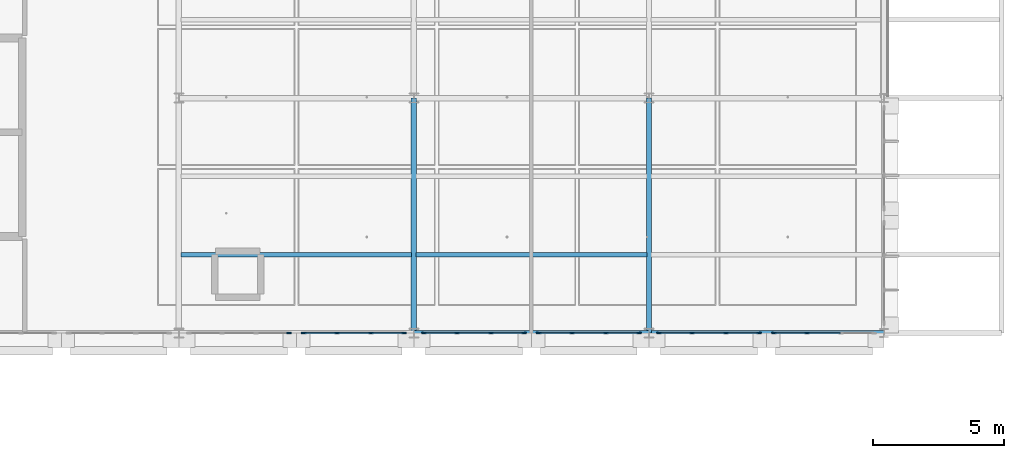
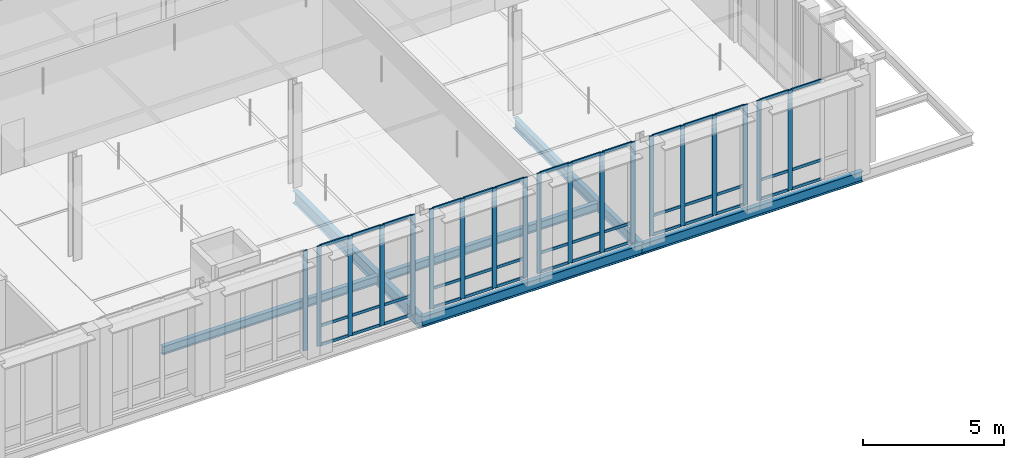
# One storey, part 67 of 140: 61 members, 6 beams, 6 elements without a shape of their own.
"""IFC4 building model written with IfcOpenShell, lengths in metres."""

from ifc_helpers import new_model, si_unit, direction, frame, origin, origin_2d, place, context, subcontext, project, spatial, rectangle, i_section, extrude, material, material_profile, profile_set, type_object, element, aggregate, save


model = new_model("IFC4")

# Units and contexts
model_context = context("Model", 3, precision=1e-05, world=origin(), true_north=direction((0.0, 1.0)))
body_context = subcontext(model_context, "Body", "Model", "MODEL_VIEW")
ifc_project = project(units=[si_unit("LENGTHUNIT", "METRE"), si_unit("AREAUNIT", "SQUARE_METRE"), si_unit("VOLUMEUNIT", "CUBIC_METRE"), si_unit("PLANEANGLEUNIT", "RADIAN"), si_unit("MASSUNIT", "GRAM", prefix="KILO"), si_unit("THERMODYNAMICTEMPERATUREUNIT", "KELVIN"), si_unit("POWERUNIT", "WATT")], contexts=[model_context])

# Site, building, storey
site_placement = place(None, origin())
site = spatial("IfcSite", under=ifc_project, at=site_placement, CompositionType="ELEMENT")
building_placement = place(site_placement, origin())
building = spatial("IfcBuilding", under=site, at=building_placement, Name="Tallowbark Science Centre", CompositionType="ELEMENT")
storey_placement = place(building_placement, frame((0.0, 0.0, 9.89990234375)))
storey = spatial("IfcBuildingStorey", under=building, at=storey_placement, Name="L02", CompositionType="ELEMENT", Elevation=9.89990234375)

# Beam
ifc_material_1 = material(Name="Structural Steel Grade 300PLUS (300 MPa)", Category="steel")
ifc_material_profile_1 = material_profile(ifc_material_1, i_section(OverallWidth=0.208740234375, OverallDepth=0.5283203125, WebThickness=0.009521484375, FlangeThickness=0.01318359375, FilletRadius=0.013916015625, at=origin_2d()), Name="530UB82.0")
ifc_profile_set_1 = profile_set([ifc_material_profile_1], Name="Structural Steel Grade 300PLUS (300 MPa)")
beam_type_1 = type_object("IfcBeamType", Name="BM-UB530B", PredefinedType="BEAM", material=ifc_profile_set_1)
beam_placement = place(storey_placement, frame((139.5, 72.0, -0.444091796875), z_axis=(0.0, 1.0, 0.0), x_axis=(-1.0, 0.0, 0.0)))
element("IfcBeam", 1, at=beam_placement, inside=storey, type_object=beam_type_1, Name="Primary Girder GRDY-L02-1395-720-810", PredefinedType="BEAM", context=body_context, shape_type="SweptSolid", body=[
    extrude(i_section(OverallWidth=0.208740234375, OverallDepth=0.5283203125, WebThickness=0.009521484375, FlangeThickness=0.01318359375, FilletRadius=0.013916015625, at=origin_2d()), origin(), (0.0, 0.0, 1.0), 9.0),
])

# Curtain wall, member
ifc_material_2 = material(Name="Unitised Thermally Broken Aluminium and Low-E Double Glazing", Category="aluminium")
curtain_wall_type = type_object("IfcCurtainWallType", Name="CW-SYS-FACADE", PredefinedType="NOTDEFINED", material=ifc_material_2)
curtain_wall_1_placement = place(storey_placement, origin())
curtain_wall_1 = element("IfcCurtainWall", 2, at=curtain_wall_1_placement, inside=storey, type_object=curtain_wall_type, Name="Unitised Curtain Wall OBS-S-130A CW-L02-146", PredefinedType="NOTDEFINED")
ifc_material_3 = material(Name="Anodised Architectural Aluminium Alloy 6063-T6", Category="aluminium")
ifc_material_profile_2 = material_profile(ifc_material_3, rectangle(XDim=0.06494140625, YDim=0.179931640625, at=origin_2d()), Name="ALU65x180")
ifc_profile_set_2 = profile_set([ifc_material_profile_2], Name="Anodised Architectural Aluminium Alloy 6063-T6")
member_type_1 = type_object("IfcMemberType", Name="CWM-MUL-220", PredefinedType="MULLION", material=ifc_profile_set_2)
member_1_placement = place(storey_placement, frame((134.717529296875, 72.0, 0.0), z_axis=(0.0, 0.0, 1.0), x_axis=(0.0, 1.0, 0.0)))
member_1 = element("IfcMember", 3, at=member_1_placement, type_object=member_type_1, Name="CW-01 mullion 4", PredefinedType="MULLION", context=body_context, shape_type="SweptSolid", body=[
    extrude(rectangle(XDim=0.06494140625, YDim=0.179931640625, at=origin_2d()), origin(), (0.0, 0.0, 1.0), 4.320068359375),
])
aggregate(curtain_wall_1, [member_1])

# Curtain wall, members
curtain_wall_2_placement = place(storey_placement, origin())
curtain_wall_2 = element("IfcCurtainWall", 4, at=curtain_wall_2_placement, inside=storey, type_object=curtain_wall_type, Name="Unitised Curtain Wall OBS-S-130B CW-L02-147", PredefinedType="NOTDEFINED")
member_2_placement = place(storey_placement, frame((135.282470703125, 72.0, 0.0), z_axis=(0.0, 0.0, 1.0), x_axis=(0.0, 1.0, 0.0)))
member_2 = element("IfcMember", 5, at=member_2_placement, type_object=member_type_1, Name="CW-01 mullion 1", PredefinedType="MULLION", context=body_context, shape_type="SweptSolid", body=[
    extrude(rectangle(XDim=0.06494140625, YDim=0.179931640625, at=origin_2d()), origin(), (0.0, 0.0, 1.0), 4.320068359375),
])
member_3_placement = place(storey_placement, frame((136.550048828125, 72.0, 0.0), z_axis=(0.0, 0.0, 1.0), x_axis=(0.0, 1.0, 0.0)))
member_3 = element("IfcMember", 6, at=member_3_placement, type_object=member_type_1, Name="CW-01 mullion 2", PredefinedType="MULLION", context=body_context, shape_type="SweptSolid", body=[
    extrude(rectangle(XDim=0.06494140625, YDim=0.179931640625, at=origin_2d()), origin(), (0.0, 0.0, 1.0), 4.320068359375),
])
member_4_placement = place(storey_placement, frame((137.85009765625, 72.0, 0.0), z_axis=(0.0, 0.0, 1.0), x_axis=(0.0, 1.0, 0.0)))
member_4 = element("IfcMember", 7, at=member_4_placement, type_object=member_type_1, Name="CW-01 mullion 3", PredefinedType="MULLION", context=body_context, shape_type="SweptSolid", body=[
    extrude(rectangle(XDim=0.06494140625, YDim=0.179931640625, at=origin_2d()), origin(), (0.0, 0.0, 1.0), 4.320068359375),
])
member_5_placement = place(storey_placement, frame((139.117431640625, 72.0, 0.0), z_axis=(0.0, 0.0, 1.0), x_axis=(0.0, 1.0, 0.0)))
member_5 = element("IfcMember", 8, at=member_5_placement, type_object=member_type_1, Name="CW-01 mullion 4", PredefinedType="MULLION", context=body_context, shape_type="SweptSolid", body=[
    extrude(rectangle(XDim=0.06494140625, YDim=0.179931640625, at=origin_2d()), origin(), (0.0, 0.0, 1.0), 4.320068359375),
])

curtain_wall_3_placement = place(storey_placement, origin())
curtain_wall_3 = element("IfcCurtainWall", 9, at=curtain_wall_3_placement, inside=storey, type_object=curtain_wall_type, Name="Unitised Curtain Wall OBS-S-139A CW-L02-150", PredefinedType="NOTDEFINED")
member_6_placement = place(storey_placement, frame((139.882568359375, 72.0, 0.0), z_axis=(0.0, 0.0, 1.0), x_axis=(0.0, 1.0, 0.0)))
member_6 = element("IfcMember", 10, at=member_6_placement, type_object=member_type_1, Name="CW-01 mullion 1", PredefinedType="MULLION", context=body_context, shape_type="SweptSolid", body=[
    extrude(rectangle(XDim=0.06494140625, YDim=0.179931640625, at=origin_2d()), origin(), (0.0, 0.0, 1.0), 4.320068359375),
])
member_7_placement = place(storey_placement, frame((141.14990234375, 72.0, 0.0), z_axis=(0.0, 0.0, 1.0), x_axis=(0.0, 1.0, 0.0)))
member_7 = element("IfcMember", 11, at=member_7_placement, type_object=member_type_1, Name="CW-01 mullion 2", PredefinedType="MULLION", context=body_context, shape_type="SweptSolid", body=[
    extrude(rectangle(XDim=0.06494140625, YDim=0.179931640625, at=origin_2d()), origin(), (0.0, 0.0, 1.0), 4.320068359375),
])
member_8_placement = place(storey_placement, frame((142.449951171875, 72.0, 0.0), z_axis=(0.0, 0.0, 1.0), x_axis=(0.0, 1.0, 0.0)))
member_8 = element("IfcMember", 12, at=member_8_placement, type_object=member_type_1, Name="CW-01 mullion 3", PredefinedType="MULLION", context=body_context, shape_type="SweptSolid", body=[
    extrude(rectangle(XDim=0.06494140625, YDim=0.179931640625, at=origin_2d()), origin(), (0.0, 0.0, 1.0), 4.320068359375),
])
member_9_placement = place(storey_placement, frame((143.717529296875, 72.0, 0.0), z_axis=(0.0, 0.0, 1.0), x_axis=(0.0, 1.0, 0.0)))
member_9 = element("IfcMember", 13, at=member_9_placement, type_object=member_type_1, Name="CW-01 mullion 4", PredefinedType="MULLION", context=body_context, shape_type="SweptSolid", body=[
    extrude(rectangle(XDim=0.06494140625, YDim=0.179931640625, at=origin_2d()), origin(), (0.0, 0.0, 1.0), 4.320068359375),
])

curtain_wall_4_placement = place(storey_placement, origin())
curtain_wall_4 = element("IfcCurtainWall", 14, at=curtain_wall_4_placement, inside=storey, type_object=curtain_wall_type, Name="Unitised Curtain Wall OBS-S-139B CW-L02-151", PredefinedType="NOTDEFINED")
member_10_placement = place(storey_placement, frame((144.282470703125, 72.0, 0.0), z_axis=(0.0, 0.0, 1.0), x_axis=(0.0, 1.0, 0.0)))
member_10 = element("IfcMember", 15, at=member_10_placement, type_object=member_type_1, Name="CW-01 mullion 1", PredefinedType="MULLION", context=body_context, shape_type="SweptSolid", body=[
    extrude(rectangle(XDim=0.06494140625, YDim=0.179931640625, at=origin_2d()), origin(), (0.0, 0.0, 1.0), 4.320068359375),
])
member_11_placement = place(storey_placement, frame((145.550048828125, 72.0, 0.0), z_axis=(0.0, 0.0, 1.0), x_axis=(0.0, 1.0, 0.0)))
member_11 = element("IfcMember", 16, at=member_11_placement, type_object=member_type_1, Name="CW-01 mullion 2", PredefinedType="MULLION", context=body_context, shape_type="SweptSolid", body=[
    extrude(rectangle(XDim=0.06494140625, YDim=0.179931640625, at=origin_2d()), origin(), (0.0, 0.0, 1.0), 4.320068359375),
])
member_12_placement = place(storey_placement, frame((146.85009765625, 72.0, 0.0), z_axis=(0.0, 0.0, 1.0), x_axis=(0.0, 1.0, 0.0)))
member_12 = element("IfcMember", 17, at=member_12_placement, type_object=member_type_1, Name="CW-01 mullion 3", PredefinedType="MULLION", context=body_context, shape_type="SweptSolid", body=[
    extrude(rectangle(XDim=0.06494140625, YDim=0.179931640625, at=origin_2d()), origin(), (0.0, 0.0, 1.0), 4.320068359375),
])
member_13_placement = place(storey_placement, frame((148.117431640625, 72.0, 0.0), z_axis=(0.0, 0.0, 1.0), x_axis=(0.0, 1.0, 0.0)))
member_13 = element("IfcMember", 18, at=member_13_placement, type_object=member_type_1, Name="CW-01 mullion 4", PredefinedType="MULLION", context=body_context, shape_type="SweptSolid", body=[
    extrude(rectangle(XDim=0.06494140625, YDim=0.179931640625, at=origin_2d()), origin(), (0.0, 0.0, 1.0), 4.320068359375),
])

curtain_wall_5_placement = place(storey_placement, origin())
curtain_wall_5 = element("IfcCurtainWall", 19, at=curtain_wall_5_placement, inside=storey, type_object=curtain_wall_type, Name="Unitised Curtain Wall OBS-S-148A CW-L02-154", PredefinedType="NOTDEFINED")
member_14_placement = place(storey_placement, frame((148.882568359375, 72.0, 0.0), z_axis=(0.0, 0.0, 1.0), x_axis=(0.0, 1.0, 0.0)))
member_14 = element("IfcMember", 20, at=member_14_placement, type_object=member_type_1, Name="CW-01 mullion 1", PredefinedType="MULLION", context=body_context, shape_type="SweptSolid", body=[
    extrude(rectangle(XDim=0.06494140625, YDim=0.179931640625, at=origin_2d()), origin(), (0.0, 0.0, 1.0), 4.320068359375),
])
member_15_placement = place(storey_placement, frame((150.14990234375, 72.0, 0.0), z_axis=(0.0, 0.0, 1.0), x_axis=(0.0, 1.0, 0.0)))
member_15 = element("IfcMember", 21, at=member_15_placement, type_object=member_type_1, Name="CW-01 mullion 2", PredefinedType="MULLION", context=body_context, shape_type="SweptSolid", body=[
    extrude(rectangle(XDim=0.06494140625, YDim=0.179931640625, at=origin_2d()), origin(), (0.0, 0.0, 1.0), 4.320068359375),
])
member_16_placement = place(storey_placement, frame((151.449951171875, 72.0, 0.0), z_axis=(0.0, 0.0, 1.0), x_axis=(0.0, 1.0, 0.0)))
member_16 = element("IfcMember", 22, at=member_16_placement, type_object=member_type_1, Name="CW-01 mullion 3", PredefinedType="MULLION", context=body_context, shape_type="SweptSolid", body=[
    extrude(rectangle(XDim=0.06494140625, YDim=0.179931640625, at=origin_2d()), origin(), (0.0, 0.0, 1.0), 4.320068359375),
])
member_17_placement = place(storey_placement, frame((152.717529296875, 72.0, 0.0), z_axis=(0.0, 0.0, 1.0), x_axis=(0.0, 1.0, 0.0)))
member_17 = element("IfcMember", 23, at=member_17_placement, type_object=member_type_1, Name="CW-01 mullion 4", PredefinedType="MULLION", context=body_context, shape_type="SweptSolid", body=[
    extrude(rectangle(XDim=0.06494140625, YDim=0.179931640625, at=origin_2d()), origin(), (0.0, 0.0, 1.0), 4.320068359375),
])

curtain_wall_6_placement = place(storey_placement, origin())
curtain_wall_6 = element("IfcCurtainWall", 24, at=curtain_wall_6_placement, inside=storey, type_object=curtain_wall_type, Name="Unitised Curtain Wall OBS-S-148B CW-L02-155", PredefinedType="NOTDEFINED")
member_18_placement = place(storey_placement, frame((153.282470703125, 72.0, 0.0), z_axis=(0.0, 0.0, 1.0), x_axis=(0.0, 1.0, 0.0)))
member_18 = element("IfcMember", 25, at=member_18_placement, type_object=member_type_1, Name="CW-01 mullion 1", PredefinedType="MULLION", context=body_context, shape_type="SweptSolid", body=[
    extrude(rectangle(XDim=0.06494140625, YDim=0.179931640625, at=origin_2d()), origin(), (0.0, 0.0, 1.0), 4.320068359375),
])
member_19_placement = place(storey_placement, frame((154.550048828125, 72.0, 0.0), z_axis=(0.0, 0.0, 1.0), x_axis=(0.0, 1.0, 0.0)))
member_19 = element("IfcMember", 26, at=member_19_placement, type_object=member_type_1, Name="CW-01 mullion 2", PredefinedType="MULLION", context=body_context, shape_type="SweptSolid", body=[
    extrude(rectangle(XDim=0.06494140625, YDim=0.179931640625, at=origin_2d()), origin(), (0.0, 0.0, 1.0), 4.320068359375),
])

# Member
ifc_material_profile_3 = material_profile(ifc_material_3, rectangle(XDim=0.054931640625, YDim=0.1201171875, at=origin_2d()), Name="ALU55x120")
ifc_profile_set_3 = profile_set([ifc_material_profile_3], Name="Anodised Architectural Aluminium Alloy 6063-T6")
member_type_2 = type_object("IfcMemberType", Name="CWM-TRN-150", PredefinedType="USERDEFINED", material=ifc_profile_set_3)
member_20_placement = place(storey_placement, frame((135.31494140625, 72.0, 0.027587890625), z_axis=(1.0, 0.0, 0.0), x_axis=(0.0, 1.0, 0.0)))
member_20 = element("IfcMember", 27, at=member_20_placement, type_object=member_type_2, Name="CW-01 transom 1.1", ObjectType="TRANSOM", PredefinedType="USERDEFINED", context=body_context, shape_type="SweptSolid", body=[
    extrude(rectangle(XDim=0.054931640625, YDim=0.1201171875, at=origin_2d()), origin(), (0.0, 0.0, 1.0), 1.20263671875),
])

member_21_placement = place(storey_placement, frame((135.31494140625, 72.0, 0.85009765625), z_axis=(1.0, 0.0, 0.0), x_axis=(0.0, 1.0, 0.0)))
member_21 = element("IfcMember", 28, at=member_21_placement, type_object=member_type_2, Name="CW-01 transom 1.2", ObjectType="TRANSOM", PredefinedType="USERDEFINED", context=body_context, shape_type="SweptSolid", body=[
    extrude(rectangle(XDim=0.054931640625, YDim=0.1201171875, at=origin_2d()), origin(), (0.0, 0.0, 1.0), 1.20263671875),
])

member_22_placement = place(storey_placement, frame((135.31494140625, 72.0, 4.29248046875), z_axis=(1.0, 0.0, 0.0), x_axis=(0.0, 1.0, 0.0)))
member_22 = element("IfcMember", 29, at=member_22_placement, type_object=member_type_2, Name="CW-01 transom 1.3", ObjectType="TRANSOM", PredefinedType="USERDEFINED", context=body_context, shape_type="SweptSolid", body=[
    extrude(rectangle(XDim=0.054931640625, YDim=0.1201171875, at=origin_2d()), origin(), (0.0, 0.0, 1.0), 1.20263671875),
])

member_23_placement = place(storey_placement, frame((136.58251953125, 72.0, 0.027587890625), z_axis=(1.0, 0.0, 0.0), x_axis=(0.0, 1.0, 0.0)))
member_23 = element("IfcMember", 30, at=member_23_placement, type_object=member_type_2, Name="CW-01 transom 2.1", ObjectType="TRANSOM", PredefinedType="USERDEFINED", context=body_context, shape_type="SweptSolid", body=[
    extrude(rectangle(XDim=0.054931640625, YDim=0.1201171875, at=origin_2d()), origin(), (0.0, 0.0, 1.0), 1.23486328125),
])

member_24_placement = place(storey_placement, frame((136.58251953125, 72.0, 0.85009765625), z_axis=(1.0, 0.0, 0.0), x_axis=(0.0, 1.0, 0.0)))
member_24 = element("IfcMember", 31, at=member_24_placement, type_object=member_type_2, Name="CW-01 transom 2.2", ObjectType="TRANSOM", PredefinedType="USERDEFINED", context=body_context, shape_type="SweptSolid", body=[
    extrude(rectangle(XDim=0.054931640625, YDim=0.1201171875, at=origin_2d()), origin(), (0.0, 0.0, 1.0), 1.23486328125),
])

member_25_placement = place(storey_placement, frame((136.58251953125, 72.0, 4.29248046875), z_axis=(1.0, 0.0, 0.0), x_axis=(0.0, 1.0, 0.0)))
member_25 = element("IfcMember", 32, at=member_25_placement, type_object=member_type_2, Name="CW-01 transom 2.3", ObjectType="TRANSOM", PredefinedType="USERDEFINED", context=body_context, shape_type="SweptSolid", body=[
    extrude(rectangle(XDim=0.054931640625, YDim=0.1201171875, at=origin_2d()), origin(), (0.0, 0.0, 1.0), 1.23486328125),
])

member_26_placement = place(storey_placement, frame((137.882568359375, 72.0, 0.027587890625), z_axis=(1.0, 0.0, 0.0), x_axis=(0.0, 1.0, 0.0)))
member_26 = element("IfcMember", 33, at=member_26_placement, type_object=member_type_2, Name="CW-01 transom 3.1", ObjectType="TRANSOM", PredefinedType="USERDEFINED", context=body_context, shape_type="SweptSolid", body=[
    extrude(rectangle(XDim=0.054931640625, YDim=0.1201171875, at=origin_2d()), origin(), (0.0, 0.0, 1.0), 1.202392578125),
])

member_27_placement = place(storey_placement, frame((137.882568359375, 72.0, 0.85009765625), z_axis=(1.0, 0.0, 0.0), x_axis=(0.0, 1.0, 0.0)))
member_27 = element("IfcMember", 34, at=member_27_placement, type_object=member_type_2, Name="CW-01 transom 3.2", ObjectType="TRANSOM", PredefinedType="USERDEFINED", context=body_context, shape_type="SweptSolid", body=[
    extrude(rectangle(XDim=0.054931640625, YDim=0.1201171875, at=origin_2d()), origin(), (0.0, 0.0, 1.0), 1.202392578125),
])

member_28_placement = place(storey_placement, frame((137.882568359375, 72.0, 4.29248046875), z_axis=(1.0, 0.0, 0.0), x_axis=(0.0, 1.0, 0.0)))
member_28 = element("IfcMember", 35, at=member_28_placement, type_object=member_type_2, Name="CW-01 transom 3.3", ObjectType="TRANSOM", PredefinedType="USERDEFINED", context=body_context, shape_type="SweptSolid", body=[
    extrude(rectangle(XDim=0.054931640625, YDim=0.1201171875, at=origin_2d()), origin(), (0.0, 0.0, 1.0), 1.202392578125),
])

aggregate(curtain_wall_2, [member_2, member_3, member_4, member_5, member_20, member_21, member_22, member_23, member_24, member_25, member_26, member_27, member_28])

member_29_placement = place(storey_placement, frame((139.9150390625, 72.0, 0.027587890625), z_axis=(1.0, 0.0, 0.0), x_axis=(0.0, 1.0, 0.0)))
member_29 = element("IfcMember", 36, at=member_29_placement, type_object=member_type_2, Name="CW-01 transom 1.1", ObjectType="TRANSOM", PredefinedType="USERDEFINED", context=body_context, shape_type="SweptSolid", body=[
    extrude(rectangle(XDim=0.054931640625, YDim=0.1201171875, at=origin_2d()), origin(), (0.0, 0.0, 1.0), 1.202392578125),
])

member_30_placement = place(storey_placement, frame((139.9150390625, 72.0, 0.85009765625), z_axis=(1.0, 0.0, 0.0), x_axis=(0.0, 1.0, 0.0)))
member_30 = element("IfcMember", 37, at=member_30_placement, type_object=member_type_2, Name="CW-01 transom 1.2", ObjectType="TRANSOM", PredefinedType="USERDEFINED", context=body_context, shape_type="SweptSolid", body=[
    extrude(rectangle(XDim=0.054931640625, YDim=0.1201171875, at=origin_2d()), origin(), (0.0, 0.0, 1.0), 1.202392578125),
])

member_31_placement = place(storey_placement, frame((139.9150390625, 72.0, 4.29248046875), z_axis=(1.0, 0.0, 0.0), x_axis=(0.0, 1.0, 0.0)))
member_31 = element("IfcMember", 38, at=member_31_placement, type_object=member_type_2, Name="CW-01 transom 1.3", ObjectType="TRANSOM", PredefinedType="USERDEFINED", context=body_context, shape_type="SweptSolid", body=[
    extrude(rectangle(XDim=0.054931640625, YDim=0.1201171875, at=origin_2d()), origin(), (0.0, 0.0, 1.0), 1.202392578125),
])

member_32_placement = place(storey_placement, frame((141.1826171875, 72.0, 0.027587890625), z_axis=(1.0, 0.0, 0.0), x_axis=(0.0, 1.0, 0.0)))
member_32 = element("IfcMember", 39, at=member_32_placement, type_object=member_type_2, Name="CW-01 transom 2.1", ObjectType="TRANSOM", PredefinedType="USERDEFINED", context=body_context, shape_type="SweptSolid", body=[
    extrude(rectangle(XDim=0.054931640625, YDim=0.1201171875, at=origin_2d()), origin(), (0.0, 0.0, 1.0), 1.23486328125),
])

member_33_placement = place(storey_placement, frame((141.1826171875, 72.0, 0.85009765625), z_axis=(1.0, 0.0, 0.0), x_axis=(0.0, 1.0, 0.0)))
member_33 = element("IfcMember", 40, at=member_33_placement, type_object=member_type_2, Name="CW-01 transom 2.2", ObjectType="TRANSOM", PredefinedType="USERDEFINED", context=body_context, shape_type="SweptSolid", body=[
    extrude(rectangle(XDim=0.054931640625, YDim=0.1201171875, at=origin_2d()), origin(), (0.0, 0.0, 1.0), 1.23486328125),
])

member_34_placement = place(storey_placement, frame((141.1826171875, 72.0, 4.29248046875), z_axis=(1.0, 0.0, 0.0), x_axis=(0.0, 1.0, 0.0)))
member_34 = element("IfcMember", 41, at=member_34_placement, type_object=member_type_2, Name="CW-01 transom 2.3", ObjectType="TRANSOM", PredefinedType="USERDEFINED", context=body_context, shape_type="SweptSolid", body=[
    extrude(rectangle(XDim=0.054931640625, YDim=0.1201171875, at=origin_2d()), origin(), (0.0, 0.0, 1.0), 1.23486328125),
])

member_35_placement = place(storey_placement, frame((142.482421875, 72.0, 0.027587890625), z_axis=(1.0, 0.0, 0.0), x_axis=(0.0, 1.0, 0.0)))
member_35 = element("IfcMember", 42, at=member_35_placement, type_object=member_type_2, Name="CW-01 transom 3.1", ObjectType="TRANSOM", PredefinedType="USERDEFINED", context=body_context, shape_type="SweptSolid", body=[
    extrude(rectangle(XDim=0.054931640625, YDim=0.1201171875, at=origin_2d()), origin(), (0.0, 0.0, 1.0), 1.20263671875),
])

member_36_placement = place(storey_placement, frame((142.482421875, 72.0, 0.85009765625), z_axis=(1.0, 0.0, 0.0), x_axis=(0.0, 1.0, 0.0)))
member_36 = element("IfcMember", 43, at=member_36_placement, type_object=member_type_2, Name="CW-01 transom 3.2", ObjectType="TRANSOM", PredefinedType="USERDEFINED", context=body_context, shape_type="SweptSolid", body=[
    extrude(rectangle(XDim=0.054931640625, YDim=0.1201171875, at=origin_2d()), origin(), (0.0, 0.0, 1.0), 1.20263671875),
])

member_37_placement = place(storey_placement, frame((142.482421875, 72.0, 4.29248046875), z_axis=(1.0, 0.0, 0.0), x_axis=(0.0, 1.0, 0.0)))
member_37 = element("IfcMember", 44, at=member_37_placement, type_object=member_type_2, Name="CW-01 transom 3.3", ObjectType="TRANSOM", PredefinedType="USERDEFINED", context=body_context, shape_type="SweptSolid", body=[
    extrude(rectangle(XDim=0.054931640625, YDim=0.1201171875, at=origin_2d()), origin(), (0.0, 0.0, 1.0), 1.20263671875),
])

aggregate(curtain_wall_3, [member_6, member_7, member_8, member_9, member_29, member_30, member_31, member_32, member_33, member_34, member_35, member_36, member_37])

member_38_placement = place(storey_placement, frame((144.31494140625, 72.0, 0.027587890625), z_axis=(1.0, 0.0, 0.0), x_axis=(0.0, 1.0, 0.0)))
member_38 = element("IfcMember", 45, at=member_38_placement, type_object=member_type_2, Name="CW-01 transom 1.1", ObjectType="TRANSOM", PredefinedType="USERDEFINED", context=body_context, shape_type="SweptSolid", body=[
    extrude(rectangle(XDim=0.054931640625, YDim=0.1201171875, at=origin_2d()), origin(), (0.0, 0.0, 1.0), 1.20263671875),
])

member_39_placement = place(storey_placement, frame((144.31494140625, 72.0, 0.85009765625), z_axis=(1.0, 0.0, 0.0), x_axis=(0.0, 1.0, 0.0)))
member_39 = element("IfcMember", 46, at=member_39_placement, type_object=member_type_2, Name="CW-01 transom 1.2", ObjectType="TRANSOM", PredefinedType="USERDEFINED", context=body_context, shape_type="SweptSolid", body=[
    extrude(rectangle(XDim=0.054931640625, YDim=0.1201171875, at=origin_2d()), origin(), (0.0, 0.0, 1.0), 1.20263671875),
])

member_40_placement = place(storey_placement, frame((144.31494140625, 72.0, 4.29248046875), z_axis=(1.0, 0.0, 0.0), x_axis=(0.0, 1.0, 0.0)))
member_40 = element("IfcMember", 47, at=member_40_placement, type_object=member_type_2, Name="CW-01 transom 1.3", ObjectType="TRANSOM", PredefinedType="USERDEFINED", context=body_context, shape_type="SweptSolid", body=[
    extrude(rectangle(XDim=0.054931640625, YDim=0.1201171875, at=origin_2d()), origin(), (0.0, 0.0, 1.0), 1.20263671875),
])

member_41_placement = place(storey_placement, frame((145.58251953125, 72.0, 0.027587890625), z_axis=(1.0, 0.0, 0.0), x_axis=(0.0, 1.0, 0.0)))
member_41 = element("IfcMember", 48, at=member_41_placement, type_object=member_type_2, Name="CW-01 transom 2.1", ObjectType="TRANSOM", PredefinedType="USERDEFINED", context=body_context, shape_type="SweptSolid", body=[
    extrude(rectangle(XDim=0.054931640625, YDim=0.1201171875, at=origin_2d()), origin(), (0.0, 0.0, 1.0), 1.23486328125),
])

member_42_placement = place(storey_placement, frame((145.58251953125, 72.0, 0.85009765625), z_axis=(1.0, 0.0, 0.0), x_axis=(0.0, 1.0, 0.0)))
member_42 = element("IfcMember", 49, at=member_42_placement, type_object=member_type_2, Name="CW-01 transom 2.2", ObjectType="TRANSOM", PredefinedType="USERDEFINED", context=body_context, shape_type="SweptSolid", body=[
    extrude(rectangle(XDim=0.054931640625, YDim=0.1201171875, at=origin_2d()), origin(), (0.0, 0.0, 1.0), 1.23486328125),
])

member_43_placement = place(storey_placement, frame((145.58251953125, 72.0, 4.29248046875), z_axis=(1.0, 0.0, 0.0), x_axis=(0.0, 1.0, 0.0)))
member_43 = element("IfcMember", 50, at=member_43_placement, type_object=member_type_2, Name="CW-01 transom 2.3", ObjectType="TRANSOM", PredefinedType="USERDEFINED", context=body_context, shape_type="SweptSolid", body=[
    extrude(rectangle(XDim=0.054931640625, YDim=0.1201171875, at=origin_2d()), origin(), (0.0, 0.0, 1.0), 1.23486328125),
])

member_44_placement = place(storey_placement, frame((146.882568359375, 72.0, 0.027587890625), z_axis=(1.0, 0.0, 0.0), x_axis=(0.0, 1.0, 0.0)))
member_44 = element("IfcMember", 51, at=member_44_placement, type_object=member_type_2, Name="CW-01 transom 3.1", ObjectType="TRANSOM", PredefinedType="USERDEFINED", context=body_context, shape_type="SweptSolid", body=[
    extrude(rectangle(XDim=0.054931640625, YDim=0.1201171875, at=origin_2d()), origin(), (0.0, 0.0, 1.0), 1.202392578125),
])

member_45_placement = place(storey_placement, frame((146.882568359375, 72.0, 0.85009765625), z_axis=(1.0, 0.0, 0.0), x_axis=(0.0, 1.0, 0.0)))
member_45 = element("IfcMember", 52, at=member_45_placement, type_object=member_type_2, Name="CW-01 transom 3.2", ObjectType="TRANSOM", PredefinedType="USERDEFINED", context=body_context, shape_type="SweptSolid", body=[
    extrude(rectangle(XDim=0.054931640625, YDim=0.1201171875, at=origin_2d()), origin(), (0.0, 0.0, 1.0), 1.202392578125),
])

member_46_placement = place(storey_placement, frame((146.882568359375, 72.0, 4.29248046875), z_axis=(1.0, 0.0, 0.0), x_axis=(0.0, 1.0, 0.0)))
member_46 = element("IfcMember", 53, at=member_46_placement, type_object=member_type_2, Name="CW-01 transom 3.3", ObjectType="TRANSOM", PredefinedType="USERDEFINED", context=body_context, shape_type="SweptSolid", body=[
    extrude(rectangle(XDim=0.054931640625, YDim=0.1201171875, at=origin_2d()), origin(), (0.0, 0.0, 1.0), 1.202392578125),
])

aggregate(curtain_wall_4, [member_10, member_11, member_12, member_13, member_38, member_39, member_40, member_41, member_42, member_43, member_44, member_45, member_46])

member_47_placement = place(storey_placement, frame((148.9150390625, 72.0, 0.027587890625), z_axis=(1.0, 0.0, 0.0), x_axis=(0.0, 1.0, 0.0)))
member_47 = element("IfcMember", 54, at=member_47_placement, type_object=member_type_2, Name="CW-01 transom 1.1", ObjectType="TRANSOM", PredefinedType="USERDEFINED", context=body_context, shape_type="SweptSolid", body=[
    extrude(rectangle(XDim=0.054931640625, YDim=0.1201171875, at=origin_2d()), origin(), (0.0, 0.0, 1.0), 1.202392578125),
])

member_48_placement = place(storey_placement, frame((148.9150390625, 72.0, 0.85009765625), z_axis=(1.0, 0.0, 0.0), x_axis=(0.0, 1.0, 0.0)))
member_48 = element("IfcMember", 55, at=member_48_placement, type_object=member_type_2, Name="CW-01 transom 1.2", ObjectType="TRANSOM", PredefinedType="USERDEFINED", context=body_context, shape_type="SweptSolid", body=[
    extrude(rectangle(XDim=0.054931640625, YDim=0.1201171875, at=origin_2d()), origin(), (0.0, 0.0, 1.0), 1.202392578125),
])

member_49_placement = place(storey_placement, frame((148.9150390625, 72.0, 4.29248046875), z_axis=(1.0, 0.0, 0.0), x_axis=(0.0, 1.0, 0.0)))
member_49 = element("IfcMember", 56, at=member_49_placement, type_object=member_type_2, Name="CW-01 transom 1.3", ObjectType="TRANSOM", PredefinedType="USERDEFINED", context=body_context, shape_type="SweptSolid", body=[
    extrude(rectangle(XDim=0.054931640625, YDim=0.1201171875, at=origin_2d()), origin(), (0.0, 0.0, 1.0), 1.202392578125),
])

member_50_placement = place(storey_placement, frame((150.1826171875, 72.0, 0.027587890625), z_axis=(1.0, 0.0, 0.0), x_axis=(0.0, 1.0, 0.0)))
member_50 = element("IfcMember", 57, at=member_50_placement, type_object=member_type_2, Name="CW-01 transom 2.1", ObjectType="TRANSOM", PredefinedType="USERDEFINED", context=body_context, shape_type="SweptSolid", body=[
    extrude(rectangle(XDim=0.054931640625, YDim=0.1201171875, at=origin_2d()), origin(), (0.0, 0.0, 1.0), 1.23486328125),
])

member_51_placement = place(storey_placement, frame((150.1826171875, 72.0, 0.85009765625), z_axis=(1.0, 0.0, 0.0), x_axis=(0.0, 1.0, 0.0)))
member_51 = element("IfcMember", 58, at=member_51_placement, type_object=member_type_2, Name="CW-01 transom 2.2", ObjectType="TRANSOM", PredefinedType="USERDEFINED", context=body_context, shape_type="SweptSolid", body=[
    extrude(rectangle(XDim=0.054931640625, YDim=0.1201171875, at=origin_2d()), origin(), (0.0, 0.0, 1.0), 1.23486328125),
])

member_52_placement = place(storey_placement, frame((150.1826171875, 72.0, 4.29248046875), z_axis=(1.0, 0.0, 0.0), x_axis=(0.0, 1.0, 0.0)))
member_52 = element("IfcMember", 59, at=member_52_placement, type_object=member_type_2, Name="CW-01 transom 2.3", ObjectType="TRANSOM", PredefinedType="USERDEFINED", context=body_context, shape_type="SweptSolid", body=[
    extrude(rectangle(XDim=0.054931640625, YDim=0.1201171875, at=origin_2d()), origin(), (0.0, 0.0, 1.0), 1.23486328125),
])

member_53_placement = place(storey_placement, frame((151.482421875, 72.0, 0.027587890625), z_axis=(1.0, 0.0, 0.0), x_axis=(0.0, 1.0, 0.0)))
member_53 = element("IfcMember", 60, at=member_53_placement, type_object=member_type_2, Name="CW-01 transom 3.1", ObjectType="TRANSOM", PredefinedType="USERDEFINED", context=body_context, shape_type="SweptSolid", body=[
    extrude(rectangle(XDim=0.054931640625, YDim=0.1201171875, at=origin_2d()), origin(), (0.0, 0.0, 1.0), 1.20263671875),
])

member_54_placement = place(storey_placement, frame((151.482421875, 72.0, 0.85009765625), z_axis=(1.0, 0.0, 0.0), x_axis=(0.0, 1.0, 0.0)))
member_54 = element("IfcMember", 61, at=member_54_placement, type_object=member_type_2, Name="CW-01 transom 3.2", ObjectType="TRANSOM", PredefinedType="USERDEFINED", context=body_context, shape_type="SweptSolid", body=[
    extrude(rectangle(XDim=0.054931640625, YDim=0.1201171875, at=origin_2d()), origin(), (0.0, 0.0, 1.0), 1.20263671875),
])

member_55_placement = place(storey_placement, frame((151.482421875, 72.0, 4.29248046875), z_axis=(1.0, 0.0, 0.0), x_axis=(0.0, 1.0, 0.0)))
member_55 = element("IfcMember", 62, at=member_55_placement, type_object=member_type_2, Name="CW-01 transom 3.3", ObjectType="TRANSOM", PredefinedType="USERDEFINED", context=body_context, shape_type="SweptSolid", body=[
    extrude(rectangle(XDim=0.054931640625, YDim=0.1201171875, at=origin_2d()), origin(), (0.0, 0.0, 1.0), 1.20263671875),
])

aggregate(curtain_wall_5, [member_14, member_15, member_16, member_17, member_47, member_48, member_49, member_50, member_51, member_52, member_53, member_54, member_55])

member_56_placement = place(storey_placement, frame((153.31494140625, 72.0, 0.027587890625), z_axis=(1.0, 0.0, 0.0), x_axis=(0.0, 1.0, 0.0)))
member_56 = element("IfcMember", 63, at=member_56_placement, type_object=member_type_2, Name="CW-01 transom 1.1", ObjectType="TRANSOM", PredefinedType="USERDEFINED", context=body_context, shape_type="SweptSolid", body=[
    extrude(rectangle(XDim=0.054931640625, YDim=0.1201171875, at=origin_2d()), origin(), (0.0, 0.0, 1.0), 1.20263671875),
])

member_57_placement = place(storey_placement, frame((153.31494140625, 72.0, 0.85009765625), z_axis=(1.0, 0.0, 0.0), x_axis=(0.0, 1.0, 0.0)))
member_57 = element("IfcMember", 64, at=member_57_placement, type_object=member_type_2, Name="CW-01 transom 1.2", ObjectType="TRANSOM", PredefinedType="USERDEFINED", context=body_context, shape_type="SweptSolid", body=[
    extrude(rectangle(XDim=0.054931640625, YDim=0.1201171875, at=origin_2d()), origin(), (0.0, 0.0, 1.0), 1.20263671875),
])

member_58_placement = place(storey_placement, frame((153.31494140625, 72.0, 4.29248046875), z_axis=(1.0, 0.0, 0.0), x_axis=(0.0, 1.0, 0.0)))
member_58 = element("IfcMember", 65, at=member_58_placement, type_object=member_type_2, Name="CW-01 transom 1.3", ObjectType="TRANSOM", PredefinedType="USERDEFINED", context=body_context, shape_type="SweptSolid", body=[
    extrude(rectangle(XDim=0.054931640625, YDim=0.1201171875, at=origin_2d()), origin(), (0.0, 0.0, 1.0), 1.20263671875),
])

member_59_placement = place(storey_placement, frame((154.58251953125, 72.0, 0.027587890625), z_axis=(1.0, 0.0, 0.0), x_axis=(0.0, 1.0, 0.0)))
member_59 = element("IfcMember", 66, at=member_59_placement, type_object=member_type_2, Name="CW-01 transom 2.1", ObjectType="TRANSOM", PredefinedType="USERDEFINED", context=body_context, shape_type="SweptSolid", body=[
    extrude(rectangle(XDim=0.054931640625, YDim=0.1201171875, at=origin_2d()), origin(), (0.0, 0.0, 1.0), 1.23486328125),
])

member_60_placement = place(storey_placement, frame((154.58251953125, 72.0, 0.85009765625), z_axis=(1.0, 0.0, 0.0), x_axis=(0.0, 1.0, 0.0)))
member_60 = element("IfcMember", 67, at=member_60_placement, type_object=member_type_2, Name="CW-01 transom 2.2", ObjectType="TRANSOM", PredefinedType="USERDEFINED", context=body_context, shape_type="SweptSolid", body=[
    extrude(rectangle(XDim=0.054931640625, YDim=0.1201171875, at=origin_2d()), origin(), (0.0, 0.0, 1.0), 1.23486328125),
])

member_61_placement = place(storey_placement, frame((154.58251953125, 72.0, 4.29248046875), z_axis=(1.0, 0.0, 0.0), x_axis=(0.0, 1.0, 0.0)))
member_61 = element("IfcMember", 68, at=member_61_placement, type_object=member_type_2, Name="CW-01 transom 2.3", ObjectType="TRANSOM", PredefinedType="USERDEFINED", context=body_context, shape_type="SweptSolid", body=[
    extrude(rectangle(XDim=0.054931640625, YDim=0.1201171875, at=origin_2d()), origin(), (0.0, 0.0, 1.0), 1.23486328125),
])

aggregate(curtain_wall_6, [member_18, member_19, member_56, member_57, member_58, member_59, member_60, member_61])

# Beams
ifc_material_profile_4 = material_profile(ifc_material_1, i_section(OverallWidth=0.172119140625, OverallDepth=0.358642578125, WebThickness=0.008056640625, FlangeThickness=0.012939453125, FilletRadius=0.011474609375, at=origin_2d()), Name="360UB56.7")
ifc_profile_set_4 = profile_set([ifc_material_profile_4], Name="Structural Steel Grade 300PLUS (300 MPa)")
beam_type_2 = type_object("IfcBeamType", Name="JST-UB360", PredefinedType="JOIST", material=ifc_profile_set_4)
for number, where, z_axis, x_axis, name in (
    (69, (130.5849609375, 75.0, -0.359130859375), (1.0, 0.0, 0.0), (0.0, 1.0, 0.0), "Composite Floor Joist JSTX-L02-1305-750"),
    (70, (139.5849609375, 75.0, -0.359130859375), (1.0, 0.0, 0.0), (0.0, 1.0, 0.0), "Composite Floor Joist JSTX-L02-1395-750"),
):
    element("IfcBeam", number, at=place(storey_placement, frame(where, z_axis=z_axis, x_axis=x_axis)), inside=storey, type_object=beam_type_2, Name=name, PredefinedType="JOIST", context=body_context, shape_type="SweptSolid", body=[
        extrude(i_section(OverallWidth=0.172119140625, OverallDepth=0.358642578125, WebThickness=0.008056640625, FlangeThickness=0.012939453125, FilletRadius=0.011474609375, at=origin_2d()), origin(), (0.0, 0.0, 1.0), 8.830078125),
    ])
ifc_material_profile_5 = material_profile(ifc_material_1, i_section(OverallWidth=0.18994140625, OverallDepth=0.453857421875, WebThickness=0.008544921875, FlangeThickness=0.0126953125, FilletRadius=0.011474609375, at=origin_2d()), Name="460UB67.1")
ifc_profile_set_5 = profile_set([ifc_material_profile_5], Name="Structural Steel Grade 300PLUS (300 MPa)")
beam_type_3 = type_object("IfcBeamType", Name="SPN-UB460", PredefinedType="SPANDREL", material=ifc_profile_set_5)
for number, where, z_axis, x_axis, name in (
    (71, (139.5, 72.0, -0.40673828125), (1.0, 0.0, 0.0), (0.0, 1.0, 0.0), "Primary Girder GRDX-L02-1395-1485-720"),
    (72, (148.5, 72.0, -0.40673828125), (1.0, 0.0, 0.0), (0.0, 1.0, 0.0), "Primary Girder GRDX-L02-1485-1575-720"),
    (73, (148.5, 72.0, -0.40673828125), (0.0, 1.0, 0.0), (-1.0, 0.0, 0.0), "Primary Girder GRDY-L02-1485-720-810"),
):
    element("IfcBeam", number, at=place(storey_placement, frame(where, z_axis=z_axis, x_axis=x_axis)), inside=storey, type_object=beam_type_3, Name=name, PredefinedType="SPANDREL", context=body_context, shape_type="SweptSolid", body=[
        extrude(i_section(OverallWidth=0.18994140625, OverallDepth=0.453857421875, WebThickness=0.008544921875, FlangeThickness=0.0126953125, FilletRadius=0.011474609375, at=origin_2d()), origin(), (0.0, 0.0, 1.0), 9.0),
    ])

save(model, "model.ifc")
